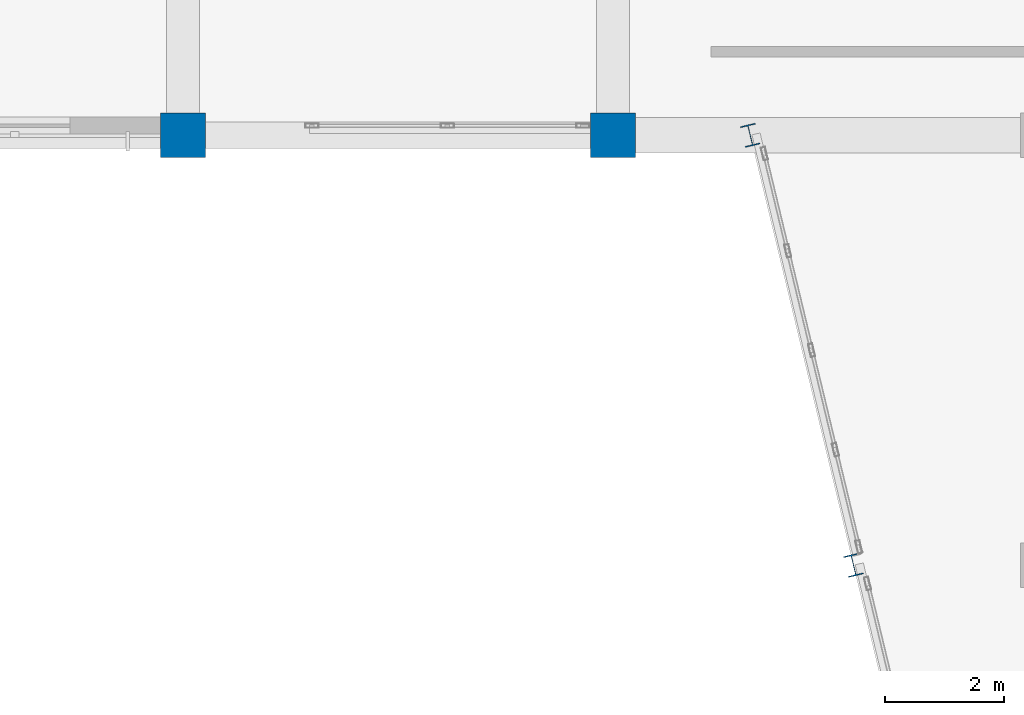
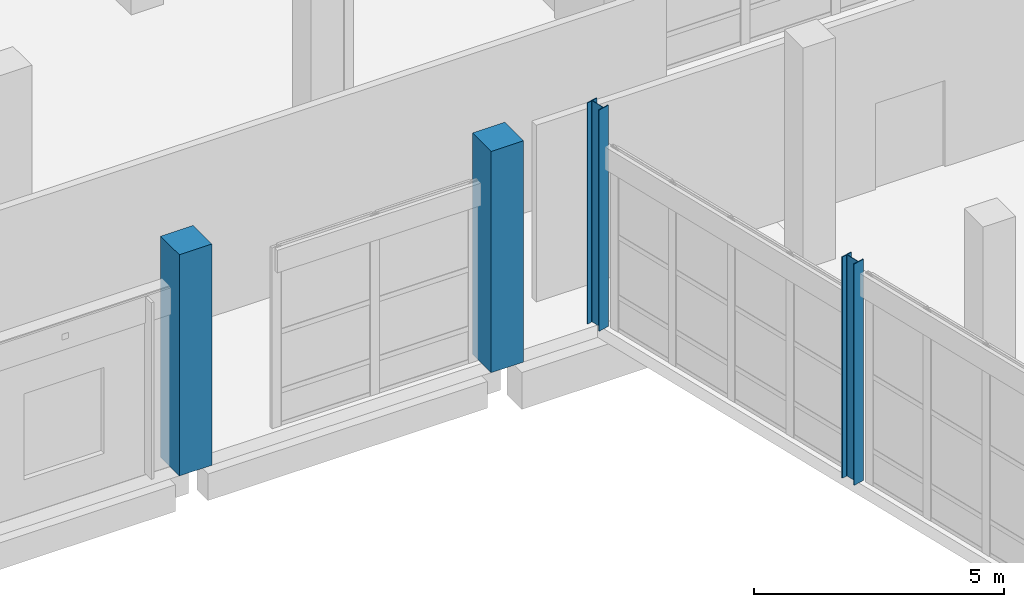
# One storey, part 2 of 137: 4 columns.
"""IFC4 building model written with IfcOpenShell, lengths in metres."""

import ifcopenshell
import ifcopenshell.guid

model = None  # the IFC model being written
_history = None  # IfcOwnerHistory: only IFC2X3 demands one
_inside = {}  # id of a spatial element -> (the spatial element, [elements in it])
_under = {}  # id of a project, library or spatial element -> (it, [spatial elements below it])
_declared = {}  # id of a project -> (the project, [libraries it declares])
_typed = {}  # id of a type object -> (the type object, [elements of that type])
_made_of = {}  # id of a material, layer set ... -> (it, [elements and type objects made of it])


def new_model(schema):
    """Start an empty IFC model of exactly this schema.

    Asked for "IFC4X3", IfcOpenShell would pick the latest addendum, in which some entities
    have other attributes; the version numbers below select the first issue.
    IFC2X3 requires an IfcOwnerHistory on every rooted entity: one is made here for all.
    """
    global model, _history
    if schema == "IFC4X3":
        model = ifcopenshell.file(schema_version=(4, 3, 0, 0))
    else:
        model = ifcopenshell.file(schema=schema)
    _inside.clear()
    _under.clear()
    _declared.clear()
    _typed.clear()
    _made_of.clear()
    _history = None
    if model.schema == "IFC2X3":
        org = make("IfcOrganization", Name="unknown")
        user = make(
            "IfcPersonAndOrganization",
            ThePerson=make("IfcPerson", FamilyName="unknown"),
            TheOrganization=org,
        )
        app = make(
            "IfcApplication",
            ApplicationDeveloper=org,
            Version="unknown",
            ApplicationFullName="unknown",
            ApplicationIdentifier="unknown",
        )
        _history = make(
            "IfcOwnerHistory",
            OwningUser=user,
            OwningApplication=app,
            ChangeAction="ADDED",
            CreationDate=0,
        )
    return model


def make(cls, **values):
    """One entity of the class cls with the attributes given. An attribute that is None is left unset."""
    return model.create_entity(
        cls, **{name: value for name, value in values.items() if value is not None}
    )


def rooted(cls, **values):
    """An entity with a GlobalId (a new one), such as an element, a storey or a relation."""
    return make(cls, GlobalId=ifcopenshell.guid.new(), OwnerHistory=_history, **values)


def si_unit(unit_type, name, prefix=None):
    """IfcSIUnit, for example si_unit("LENGTHUNIT", "METRE", prefix="MILLI")."""
    return make("IfcSIUnit", UnitType=unit_type, Prefix=prefix, Name=name)


def assignment(units):
    """IfcUnitAssignment: the units of a project."""
    return None if units is None else make("IfcUnitAssignment", Units=units)


def point(xyz):
    """IfcCartesianPoint."""
    return None if xyz is None else make("IfcCartesianPoint", Coordinates=xyz)


def direction(xyz):
    """IfcDirection."""
    return None if xyz is None else make("IfcDirection", DirectionRatios=xyz)


def frame(location, z_axis=None, x_axis=None):
    """IfcAxis2Placement3D, a coordinate frame: its origin and axes. An axis left out is left unset."""
    return make(
        "IfcAxis2Placement3D",
        Location=point(location),
        Axis=direction(z_axis),
        RefDirection=direction(x_axis),
    )


def frame_2d(location, x_axis=None):
    """IfcAxis2Placement2D, a coordinate frame in the plane: its origin and x axis."""
    return make(
        "IfcAxis2Placement2D", Location=point(location), RefDirection=direction(x_axis)
    )


def origin():
    """The frame at (0, 0, 0) with its axes left unset."""
    return frame((0.0, 0.0, 0.0))


def origin_2d():
    """The frame at (0, 0) in the plane with its x axis left unset."""
    return frame_2d((0.0, 0.0))


def place(relative_to, where):
    """IfcLocalPlacement: puts the frame where relative to a parent placement (None: the world)."""
    return make(
        "IfcLocalPlacement", PlacementRelTo=relative_to, RelativePlacement=where
    )


def context(
    kind, dimensions, precision=None, world=None, true_north=None, identifier=None
):
    """IfcGeometricRepresentationContext, for example the 3D "Model" context."""
    return make(
        "IfcGeometricRepresentationContext",
        ContextIdentifier=identifier,
        ContextType=kind,
        CoordinateSpaceDimension=dimensions,
        Precision=precision,
        WorldCoordinateSystem=world,
        TrueNorth=true_north,
    )


def subcontext(parent, identifier, kind, view, scale=None):
    """IfcGeometricRepresentationSubContext, for example "Body" below "Model"."""
    return make(
        "IfcGeometricRepresentationSubContext",
        ContextIdentifier=identifier,
        ContextType=kind,
        ParentContext=parent,
        TargetScale=scale,
        TargetView=view,
    )


def project(units=None, contexts=None):
    """IfcProject with its units and contexts."""
    return rooted(
        "IfcProject",
        Name="project",
        RepresentationContexts=contexts,
        UnitsInContext=assignment(units),
    )


def spatial(cls, under=None, at=None, **own):
    """A site, building, storey or space (cls), placed at a placement, below another one or the project."""
    s = rooted(cls, ObjectPlacement=at, **own)
    if under is not None:
        _under.setdefault(under.id(), (under, []))[1].append(s)
    return s


def profile(cls, at=None, kind="AREA", **sizes):
    """A parametric profile (cls). Its sizes go by their IFC names, for example OverallWidth=200.0."""
    return make(cls, ProfileType=kind, Position=at, **sizes)


def rectangle(**sizes):
    """IfcRectangleProfileDef."""
    return profile("IfcRectangleProfileDef", **sizes)


def i_section(**sizes):
    """IfcIShapeProfileDef."""
    return profile("IfcIShapeProfileDef", **sizes)


def extrude(swept, where, along, depth):
    """IfcExtrudedAreaSolid: the profile swept, set in the frame where, extruded along a direction by depth."""
    return make(
        "IfcExtrudedAreaSolid",
        SweptArea=swept,
        Position=where,
        ExtrudedDirection=direction(along),
        Depth=depth,
    )


def shape(context_of_items, identifier, shape_type, items):
    """IfcShapeRepresentation: the items that make up one representation, for example the "Body"."""
    return make(
        "IfcShapeRepresentation",
        ContextOfItems=context_of_items,
        RepresentationIdentifier=identifier,
        RepresentationType=shape_type,
        Items=items,
    )


def material(Name=None, Category=None):
    """IfcMaterial."""
    return make("IfcMaterial", Name=Name, Category=Category)


def material_profile(
    of_material, cross_section, Name=None, Category=None, Priority=None
):
    """IfcMaterialProfile: a cross section and its material."""
    return make(
        "IfcMaterialProfile",
        Name=Name,
        Material=of_material,
        Profile=cross_section,
        Priority=Priority,
        Category=Category,
    )


def profile_set(profiles, Name=None, composite=None):
    """IfcMaterialProfileSet."""
    return make(
        "IfcMaterialProfileSet",
        Name=Name,
        MaterialProfiles=profiles,
        CompositeProfile=composite,
    )


def made_of(thing, what):
    """Note that an element or type object is made of a material, layer set ...; save() writes the relation."""
    if what is not None:
        _made_of.setdefault(what.id(), (what, []))[1].append(thing)
    return thing


def type_object(cls, material=None, **own):
    """A type object (cls), such as IfcWallType, which elements share."""
    return made_of(rooted(cls, **own), material)


def element(
    cls,
    number,
    at=None,
    inside=None,
    cuts=None,
    type_object=None,
    material=None,
    context=None,
    identifier="Body",
    shape_type=None,
    held_by="IfcProductDefinitionShape",
    body=None,
    shapes=None,
    **own,
):
    """One element of the class cls, such as IfcWall. Its Tag is "e" and its number.

    at: its placement. inside: the storey or other place that contains it. cuts: it is an
    opening in that element (IfcRelVoidsElement). A single representation is given by context,
    identifier, shape_type and body (its items); several are given by shapes. held_by: the class
    of the entity that holds the representations. save() writes the other relations.
    """
    e = rooted(cls, Tag="e%d" % number, ObjectPlacement=at, **own)
    if body is not None:
        shapes = [shape(context, identifier, shape_type, body)]
    if shapes is not None:
        e.Representation = make(held_by, Representations=shapes)
    if inside is not None:
        _inside.setdefault(inside.id(), (inside, []))[1].append(e)
    if cuts is not None:
        rooted(
            "IfcRelVoidsElement", RelatingBuildingElement=cuts, RelatedOpeningElement=e
        )
    if type_object is not None:
        _typed.setdefault(type_object.id(), (type_object, []))[1].append(e)
    return made_of(e, material)


def aggregate(whole, parts):
    """IfcRelAggregates: a whole, such as a stair, and the parts it consists of."""
    return rooted("IfcRelAggregates", RelatingObject=whole, RelatedObjects=parts)


def save(model, path):
    """Write the relations noted so far, then the file.

    IfcRelAggregates (storeys below a building ...), IfcRelContainedInSpatialStructure (elements
    in a storey), IfcRelDefinesByType, IfcRelAssociatesMaterial and IfcRelDeclares: one each for
    every whole, place, type object, material and project.
    """
    for whole, parts in _under.values():
        aggregate(whole, parts)
    for where, things in _inside.values():
        rooted(
            "IfcRelContainedInSpatialStructure",
            RelatedElements=things,
            RelatingStructure=where,
        )
    for kind, things in _typed.values():
        rooted("IfcRelDefinesByType", RelatedObjects=things, RelatingType=kind)
    for what, things in _made_of.values():
        rooted("IfcRelAssociatesMaterial", RelatedObjects=things, RelatingMaterial=what)
    for by, libraries in _declared.values():
        rooted("IfcRelDeclares", RelatingContext=by, RelatedDefinitions=libraries)
    model.write(path)


model = new_model("IFC4")

# Units and contexts
model_context = context("Model", 3, precision=1e-05, world=origin(), true_north=direction((0.0, 1.0)))
body_context = subcontext(model_context, "Body", "Model", "MODEL_VIEW")
ifc_project = project(units=[si_unit("LENGTHUNIT", "METRE"), si_unit("AREAUNIT", "SQUARE_METRE"), si_unit("VOLUMEUNIT", "CUBIC_METRE"), si_unit("PLANEANGLEUNIT", "RADIAN"), si_unit("MASSUNIT", "GRAM", prefix="KILO")], contexts=[model_context])

# Site, building, storey
site_placement = place(None, origin())
site = spatial("IfcSite", under=ifc_project, at=site_placement, CompositionType="ELEMENT")
building_placement = place(site_placement, origin())
building = spatial("IfcBuilding", under=site, at=building_placement, Name="Kalmorath City Hall", CompositionType="ELEMENT")
storey_placement = place(building_placement, origin())
storey = spatial("IfcBuildingStorey", under=building, at=storey_placement, Name="L00", CompositionType="ELEMENT", Elevation=0.0)

# Columns
ifc_material_1 = material(Name="Concrete C50/60", Category="concrete")
ifc_material_profile_1 = material_profile(ifc_material_1, rectangle(XDim=0.75, YDim=0.75, at=origin_2d()), Name="RC-COL-750X750")
ifc_profile_set_1 = profile_set([ifc_material_profile_1], Name="Concrete C50/60")
column_type_1 = type_object("IfcColumnType", Name="Concrete column 750x750", PredefinedType="COLUMN", material=ifc_profile_set_1)
for number, where, z_axis, x_axis, name in (
    (1, (115.199951171875, 93.60009765625, 0.0), (0.0, 0.0, 1.0), (1.0, 0.0, 0.0), "L00 column C3 (17/14)"),
    (2, (122.39990234375, 93.60009765625, 0.0), (0.0, 0.0, 1.0), (1.0, 0.0, 0.0), "L00 column C3 (18/14)"),
):
    element("IfcColumn", number, at=place(storey_placement, frame(where, z_axis=z_axis, x_axis=x_axis)), inside=storey, type_object=column_type_1, Name=name, PredefinedType="COLUMN", context=body_context, shape_type="SweptSolid", body=[
        extrude(rectangle(XDim=0.75, YDim=0.75, at=origin_2d()), origin(), (0.0, 0.0, 1.0), 5.39990234375),
    ])
ifc_material_2 = material(Name="Steel ASTM A992 Grade 50", Category="steel")
ifc_material_profile_2 = material_profile(ifc_material_2, i_section(OverallWidth=0.256103515625, OverallDepth=0.360107421875, WebThickness=0.011474609375, FlangeThickness=0.02001953125, FilletRadius=0.014892578125, at=origin_2d()), Name="W14X74")
ifc_profile_set_2 = profile_set([ifc_material_profile_2], Name="Steel ASTM A992 Grade 50")
column_type_2 = type_object("IfcColumnType", Name="Steel wide-flange column W14X74", PredefinedType="COLUMN", material=ifc_profile_set_2)
for number, where, z_axis, x_axis, name in (
    (3, (126.4287109375, 86.39990234375, 0.0), (0.0, 0.0, 1.0), (0.972369920398, 0.233445363856, 0.0), "L00 library splay column SC4-7"),
    (4, (124.699951171875, 93.60009765625, 0.0), (0.0, 0.0, 1.0), (0.972369920398, 0.233445363856, 0.0), "L00 library splay column SC4-8"),
):
    element("IfcColumn", number, at=place(storey_placement, frame(where, z_axis=z_axis, x_axis=x_axis)), inside=storey, type_object=column_type_2, Name=name, PredefinedType="COLUMN", context=body_context, shape_type="SweptSolid", body=[
        extrude(i_section(OverallWidth=0.256103515625, OverallDepth=0.360107421875, WebThickness=0.011474609375, FlangeThickness=0.02001953125, FilletRadius=0.014892578125, at=origin_2d()), origin(), (0.0, 0.0, 1.0), 5.39990234375),
    ])

save(model, "model.ifc")
